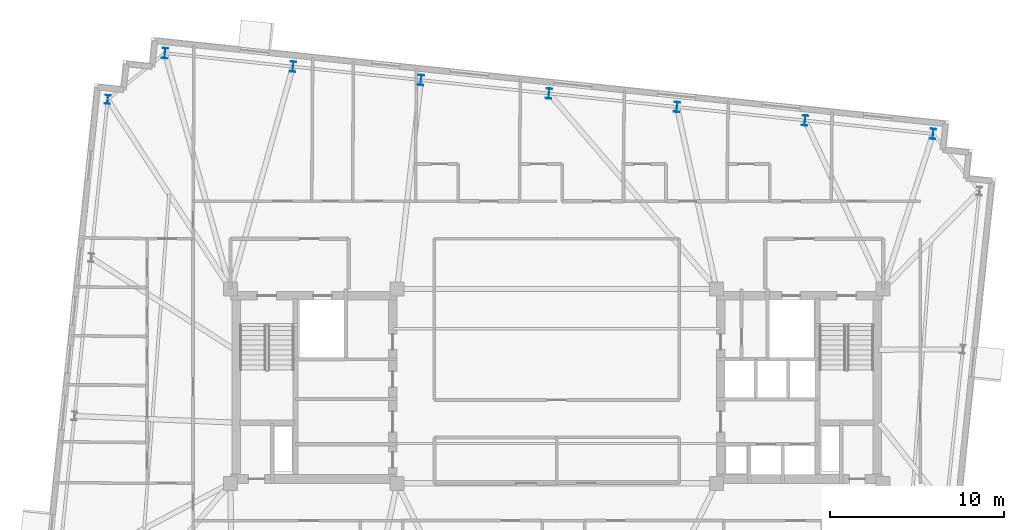
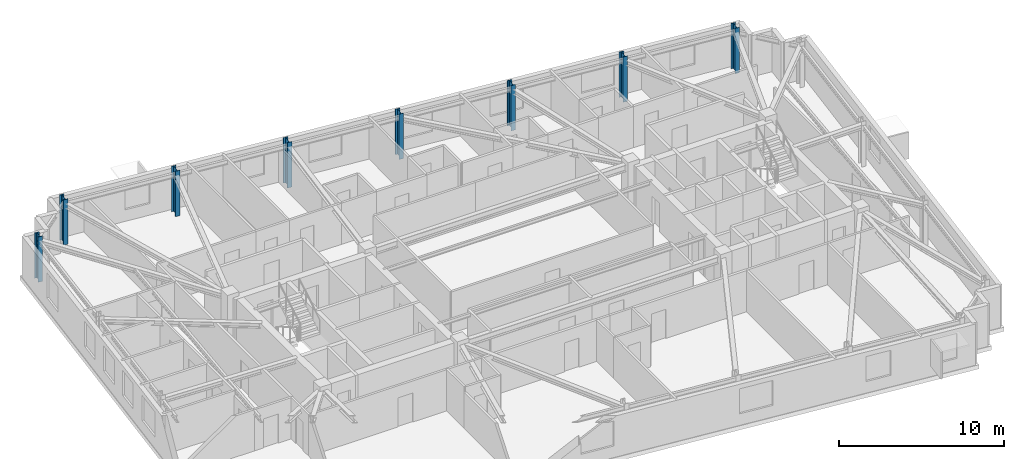
# One storey, part 3 of 12: 8 columns.
"""IFC4 building model written with IfcOpenShell, lengths in metres."""

from ifc_helpers import new_model, si_unit, direction, frame, origin, origin_2d, place, context, subcontext, project, spatial, i_section, extrude, material, material_profile, profile_set, type_object, element, save


model = new_model("IFC4")

# Units and contexts
model_context = context("Model", 3, precision=1e-05, world=origin(), true_north=direction((0.0, 1.0)))
body_context = subcontext(model_context, "Body", "Model", "MODEL_VIEW")
ifc_project = project(units=[si_unit("LENGTHUNIT", "METRE"), si_unit("AREAUNIT", "SQUARE_METRE"), si_unit("VOLUMEUNIT", "CUBIC_METRE"), si_unit("PLANEANGLEUNIT", "RADIAN"), si_unit("MASSUNIT", "GRAM", prefix="KILO")], contexts=[model_context])

# Site, building, storey
site_placement = place(None, origin())
site = spatial("IfcSite", under=ifc_project, at=site_placement, CompositionType="ELEMENT")
building_placement = place(site_placement, origin())
building = spatial("IfcBuilding", under=site, at=building_placement, Name="Qobustan Lattice House", CompositionType="ELEMENT")
storey_placement = place(building_placement, frame((0.0, 0.0, 183.0)))
storey = spatial("IfcBuildingStorey", under=building, at=storey_placement, Name="L51", CompositionType="ELEMENT", Elevation=183.0)

# Columns
ifc_material_1 = material(Name="Steel S355", Category="steel")
ifc_material_profile_1 = material_profile(ifc_material_1, i_section(OverallWidth=0.300048828125, OverallDepth=0.5, WebThickness=0.014404296875, FlangeThickness=0.028076171875, FilletRadius=0.027099609375, at=origin_2d()), Name="HEB500")
ifc_profile_set_1 = profile_set([ifc_material_profile_1], Name="Steel S355")
column_type_1 = type_object("IfcColumnType", Name="COL-ST-HEB500", PredefinedType="COLUMN", material=ifc_profile_set_1)
column_placement = place(storey_placement, frame((-25.87451171875, 16.513916015625, 0.0), z_axis=(0.0, 0.0, 1.0), x_axis=(0.994521895368, -0.104528463268, 0.0)))
element("IfcColumn", 1, at=column_placement, inside=storey, type_object=column_type_1, Name="L51 B4 perimeter column W1", PredefinedType="COLUMN", context=body_context, shape_type="SweptSolid", body=[
    extrude(i_section(OverallWidth=0.300048828125, OverallDepth=0.5, WebThickness=0.014404296875, FlangeThickness=0.028076171875, FilletRadius=0.027099609375, at=origin_2d()), origin(), (0.0, 0.0, 1.0), 3.35009765625),
])
ifc_material_2 = material(Name="Steel S355", Category="steel")
ifc_material_profile_2 = material_profile(ifc_material_2, i_section(OverallWidth=0.300048828125, OverallDepth=0.60009765625, WebThickness=0.015380859375, FlangeThickness=0.030029296875, FilletRadius=0.027099609375, at=origin_2d()), Name="HEB600")
ifc_profile_set_2 = profile_set([ifc_material_profile_2], Name="Steel S355")
column_type_2 = type_object("IfcColumnType", Name="COL-ST-HEB600", PredefinedType="COLUMN", material=ifc_profile_set_2)
for number, where, z_axis, x_axis, name in (
    (2, (21.678955078125, 14.532470703125, 0.0), (0.0, 0.0, 1.0), (0.994521895368, -0.104528463268, 0.0), "L51 B4 perimeter column N1"),
    (3, (14.302978515625, 15.3076171875, 0.0), (0.0, 0.0, 1.0), (0.994521895368, -0.104528463268, 0.0), "L51 B4 perimeter column N2"),
    (4, (6.927001953125, 16.0830078125, 0.0), (0.0, 0.0, 1.0), (0.994521895368, -0.104528463268, 0.0), "L51 B4 perimeter column N3"),
    (5, (-0.44921875, 16.858154296875, 0.0), (0.0, 0.0, 1.0), (0.994521895368, -0.104528463268, 0.0), "L51 B4 perimeter column N4"),
    (6, (-7.8251953125, 17.633544921875, 0.0), (0.0, 0.0, 1.0), (0.994521895368, -0.104528463268, 0.0), "L51 B4 perimeter column N5"),
    (7, (-15.201171875, 18.40869140625, 0.0), (0.0, 0.0, 1.0), (0.994521895368, -0.104528463268, 0.0), "L51 B4 perimeter column N6"),
    (8, (-22.577392578125, 19.18408203125, 0.0), (0.0, 0.0, 1.0), (0.994521895368, -0.104528463268, 0.0), "L51 B4 perimeter column N7"),
):
    element("IfcColumn", number, at=place(storey_placement, frame(where, z_axis=z_axis, x_axis=x_axis)), inside=storey, type_object=column_type_2, Name=name, PredefinedType="COLUMN", context=body_context, shape_type="SweptSolid", body=[
        extrude(i_section(OverallWidth=0.300048828125, OverallDepth=0.60009765625, WebThickness=0.015380859375, FlangeThickness=0.030029296875, FilletRadius=0.027099609375, at=origin_2d()), origin(), (0.0, 0.0, 1.0), 3.35009765625),
    ])

save(model, "model.ifc")
